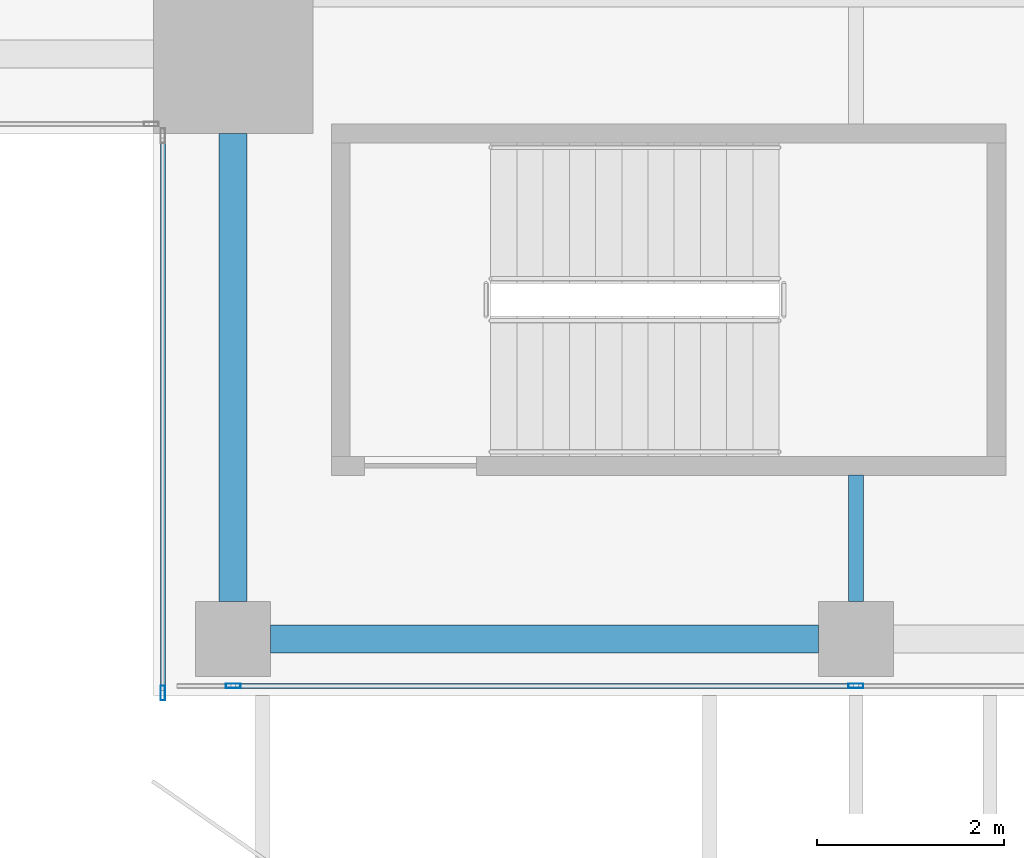
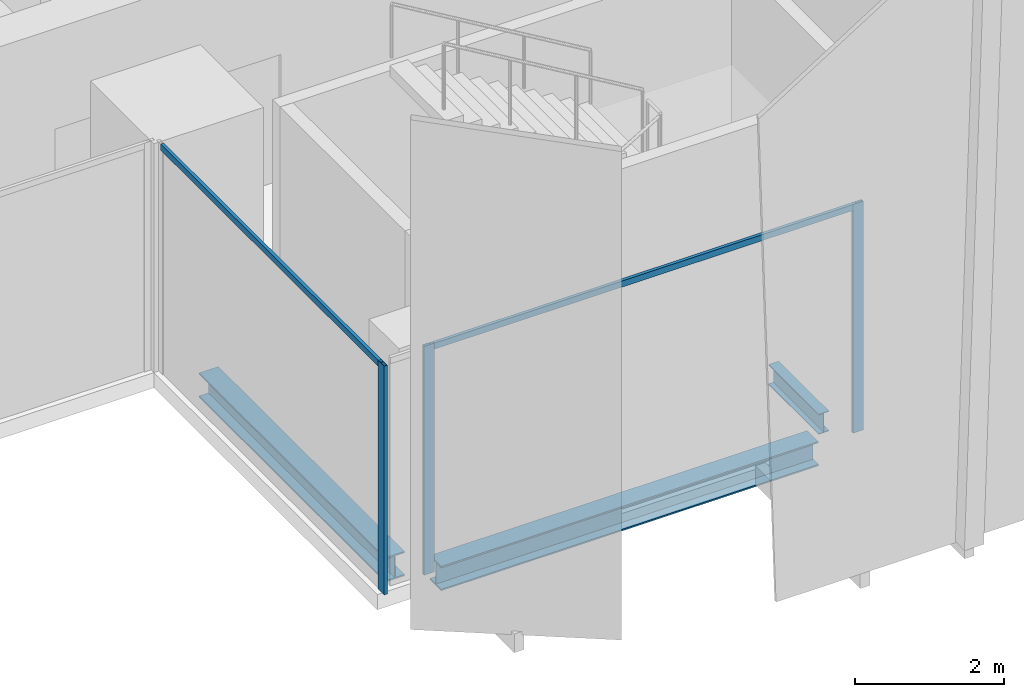
# One storey, part 2 of 32: 5 members, 3 beams, 2 elements without a shape of their own.
"""IFC4 building model written with IfcOpenShell, lengths in metres."""

from ifc_helpers import new_model, si_unit, direction, frame, origin, origin_2d, place, context, subcontext, project, spatial, hollow_rectangle, i_section, extrude, source, transform, mapped, material, material_profile, profile_set, type_object, element, aggregate, save


model = new_model("IFC4")

# Units and contexts
model_context = context("Model", 3, precision=1e-05, world=origin(), true_north=direction((0.0, 1.0)))
body_context = subcontext(model_context, "Body", "Model", "MODEL_VIEW")
ifc_project = project(units=[si_unit("LENGTHUNIT", "METRE"), si_unit("AREAUNIT", "SQUARE_METRE"), si_unit("VOLUMEUNIT", "CUBIC_METRE"), si_unit("PLANEANGLEUNIT", "RADIAN"), si_unit("MASSUNIT", "GRAM", prefix="KILO")], contexts=[model_context])

# Site, building, storey
site_placement = place(None, origin())
site = spatial("IfcSite", under=ifc_project, at=site_placement, CompositionType="ELEMENT")
building_placement = place(site_placement, origin())
building = spatial("IfcBuilding", under=site, at=building_placement, Name="Khomas Fold Tower", CompositionType="ELEMENT")
storey_placement = place(building_placement, frame((0.0, 0.0, 318.199951171875)))
storey = spatial("IfcBuildingStorey", under=building, at=storey_placement, Name="L72", CompositionType="ELEMENT", Elevation=318.199951171875)

# Beams
ifc_material_1 = material(Name="Steel S355", Category="steel")
ifc_material_profile_1 = material_profile(ifc_material_1, i_section(OverallWidth=0.159912109375, OverallDepth=0.330078125, WebThickness=0.007568359375, FlangeThickness=0.011474609375, at=origin_2d()), Name="IPE 330")
ifc_profile_set_1 = profile_set([ifc_material_profile_1], Name="Steel S355")
beam_type_1 = type_object("IfcBeamType", Name="IPE 330 beam JB1", PredefinedType="BEAM", material=ifc_profile_set_1)
shared_shape_1 = source(origin(), body_context, "Body", "SweptSolid", [
    extrude(i_section(OverallWidth=0.159912109375, OverallDepth=0.330078125, WebThickness=0.007568359375, FlangeThickness=0.011474609375, at=origin_2d()), origin(), (0.0, 0.0, 1.0), 1.35009765625),
])
beam_1_placement = place(storey_placement, frame((19.5, 7.0, -0.4150390625), z_axis=(0.0, 1.0, 0.0), x_axis=(-1.0, 0.0, 0.0)))
element("IfcBeam", 1, at=beam_1_placement, inside=storey, type_object=beam_type_1, Name="JB1", PredefinedType="BEAM", context=body_context, shape_type="MappedRepresentation", body=[
    mapped(shared_shape_1, transform((0.0, 0.0, 0.0))),
])
ifc_material_2 = material(Name="Steel S355", Category="steel")
ifc_material_profile_2 = material_profile(ifc_material_2, i_section(OverallWidth=0.300048828125, OverallDepth=0.39990234375, WebThickness=0.013427734375, FlangeThickness=0.02392578125, at=origin_2d()), Name="HE 400 B")
ifc_profile_set_2 = profile_set([ifc_material_profile_2], Name="Steel S355")
beam_type_2 = type_object("IfcBeamType", Name="HE 400 B spandrel SB5", PredefinedType="SPANDREL", material=ifc_profile_set_2)
shared_shape_2 = source(origin(), body_context, "Body", "SweptSolid", [
    extrude(i_section(OverallWidth=0.300048828125, OverallDepth=0.39990234375, WebThickness=0.013427734375, FlangeThickness=0.02392578125, at=origin_2d()), origin(), (0.0, 0.0, 1.0), 5.85009765625),
])
beam_2_placement = place(storey_placement, frame((13.25, 6.60009765625, -0.449951171875), z_axis=(1.0, 0.0, 0.0), x_axis=(0.0, 1.0, 0.0)))
element("IfcBeam", 2, at=beam_2_placement, inside=storey, type_object=beam_type_2, Name="SB5", PredefinedType="SPANDREL", context=body_context, shape_type="MappedRepresentation", body=[
    mapped(shared_shape_2, transform((0.0, 0.0, 0.0))),
])
shared_shape_3 = source(origin(), body_context, "Body", "SweptSolid", [
    extrude(i_section(OverallWidth=0.300048828125, OverallDepth=0.39990234375, WebThickness=0.013427734375, FlangeThickness=0.02392578125, at=origin_2d()), origin(), (0.0, 0.0, 1.0), 5.0),
])
beam_3_placement = place(storey_placement, frame((12.85009765625, 7.0, -0.449951171875), z_axis=(0.0, 1.0, 0.0), x_axis=(-1.0, 0.0, 0.0)))
element("IfcBeam", 3, at=beam_3_placement, inside=storey, type_object=beam_type_2, Name="SB5", PredefinedType="SPANDREL", context=body_context, shape_type="MappedRepresentation", body=[
    mapped(shared_shape_3, transform((0.0, 0.0, 0.0))),
])

# Curtain wall, members
ifc_material_3 = material(Name="Aluminium framed double glazing", Category="aluminium")
curtain_wall_type = type_object("IfcCurtainWallType", Name="SK-Unitised clear-glass wall, upper floors CW3", PredefinedType="NOTDEFINED", material=ifc_material_3)
curtain_wall_1_placement = place(storey_placement, origin())
curtain_wall_1 = element("IfcCurtainWall", 4, at=curtain_wall_1_placement, inside=storey, type_object=curtain_wall_type, Name="CW3 run L72 00-0", PredefinedType="NOTDEFINED")
ifc_material_4 = material(Name="Aluminium", Category="aluminium")
ifc_material_profile_3 = material_profile(ifc_material_4, hollow_rectangle(XDim=0.050048828125, YDim=0.159912109375, WallThickness=0.00390625, at=origin_2d()), Name="SK-Unitised clear-glass wall, upper floors mullion CW3-M")
ifc_profile_set_3 = profile_set([ifc_material_profile_3], Name="Aluminium")
member_type_1 = type_object("IfcMemberType", Name="SK-Unitised clear-glass wall, upper floors mullion CW3-M", PredefinedType="MULLION", material=ifc_profile_set_3)
shared_shape_4 = source(origin(), body_context, "Body", "SweptSolid", [
    extrude(hollow_rectangle(XDim=0.050048828125, YDim=0.159912109375, WallThickness=0.00390625, at=origin_2d()), origin(), (0.0, 0.0, 1.0), 3.75),
])
member_1_placement = place(storey_placement, frame((12.85009765625, 6.10009765625, 0.0), z_axis=(0.0, 0.0, 1.0), x_axis=(0.0, 1.0, 0.0)))
member_1 = element("IfcMember", 5, at=member_1_placement, type_object=member_type_1, Name="CW3 mullion 2", PredefinedType="MULLION", context=body_context, shape_type="MappedRepresentation", body=[
    mapped(shared_shape_4, transform((0.0, 0.0, 0.0))),
])
member_2_placement = place(storey_placement, frame((19.5, 6.10009765625, 0.0), z_axis=(0.0, 0.0, 1.0), x_axis=(0.0, 1.0, 0.0)))
member_2 = element("IfcMember", 6, at=member_2_placement, type_object=member_type_1, Name="CW3 mullion 3", PredefinedType="MULLION", context=body_context, shape_type="MappedRepresentation", body=[
    mapped(shared_shape_4, transform((0.0, 0.0, 0.0))),
])

# Curtain wall, member
curtain_wall_2_placement = place(storey_placement, origin())
curtain_wall_2 = element("IfcCurtainWall", 7, at=curtain_wall_2_placement, inside=storey, type_object=curtain_wall_type, Name="CW3 corner return L72 11", PredefinedType="NOTDEFINED")
member_3_placement = place(storey_placement, frame((12.10009765625, 6.02490234375, 0.0), z_axis=(0.0, 0.0, 1.0), x_axis=(1.0, 0.0, 0.0)))
member_3 = element("IfcMember", 8, at=member_3_placement, type_object=member_type_1, Name="CW3 mullion 2", PredefinedType="MULLION", context=body_context, shape_type="MappedRepresentation", body=[
    mapped(shared_shape_4, transform((0.0, 0.0, 0.0))),
])

# Member
ifc_material_5 = material(Name="Aluminium", Category="aluminium")
ifc_material_profile_4 = material_profile(ifc_material_5, hollow_rectangle(XDim=0.050048828125, YDim=0.10009765625, WallThickness=0.00390625, at=origin_2d()), Name="SK-Unitised clear-glass wall, upper floors transom CW3-T")
ifc_profile_set_4 = profile_set([ifc_material_profile_4], Name="Aluminium")
member_type_2 = type_object("IfcMemberType", Name="SK-Unitised clear-glass wall, upper floors transom CW3-T", PredefinedType="USERDEFINED", material=ifc_profile_set_4)
shared_shape_5 = source(origin(), body_context, "Body", "SweptSolid", [
    extrude(hollow_rectangle(XDim=0.050048828125, YDim=0.10009765625, WallThickness=0.00390625, at=origin_2d()), origin(), (0.0, 0.0, 1.0), 6.60009765625),
])
member_4_placement = place(storey_placement, frame((12.875, 6.10009765625, 3.699951171875), z_axis=(1.0, 0.0, 0.0), x_axis=(0.0, 1.0, 0.0)))
member_4 = element("IfcMember", 9, at=member_4_placement, type_object=member_type_2, Name="CW3 transom 2", ObjectType="TRANSOM", PredefinedType="USERDEFINED", context=body_context, shape_type="MappedRepresentation", body=[
    mapped(shared_shape_5, transform((0.0, 0.0, 0.0))),
])

aggregate(curtain_wall_1, [member_1, member_2, member_4])

shared_shape_6 = source(origin(), body_context, "Body", "SweptSolid", [
    extrude(hollow_rectangle(XDim=0.050048828125, YDim=0.10009765625, WallThickness=0.00390625, at=origin_2d()), origin(), (0.0, 0.0, 1.0), 5.89990234375),
])
member_5_placement = place(storey_placement, frame((12.10009765625, 11.949951171875, 3.699951171875), z_axis=(0.0, -1.0, 0.0), x_axis=(1.0, 0.0, 0.0)))
member_5 = element("IfcMember", 10, at=member_5_placement, type_object=member_type_2, Name="CW3 transom 1", ObjectType="TRANSOM", PredefinedType="USERDEFINED", context=body_context, shape_type="MappedRepresentation", body=[
    mapped(shared_shape_6, transform((0.0, 0.0, 0.0))),
])

aggregate(curtain_wall_2, [member_3, member_5])

save(model, "model.ifc")
